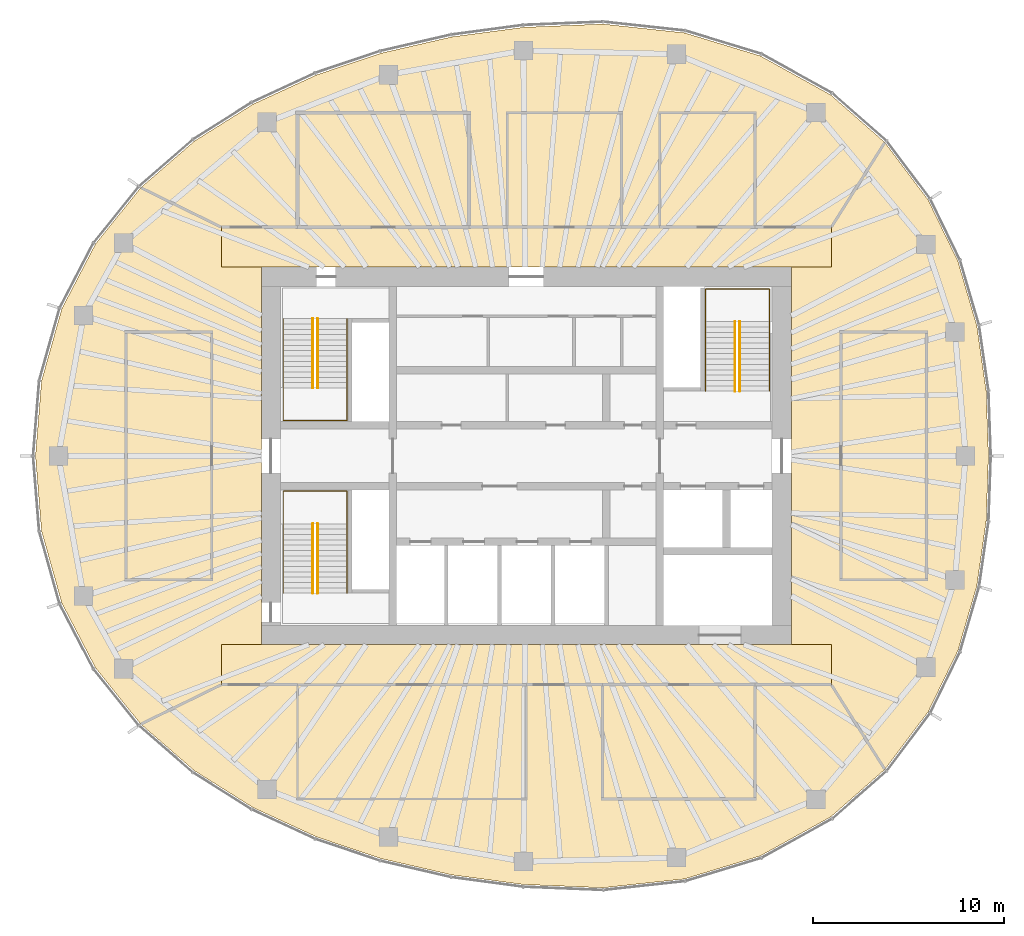
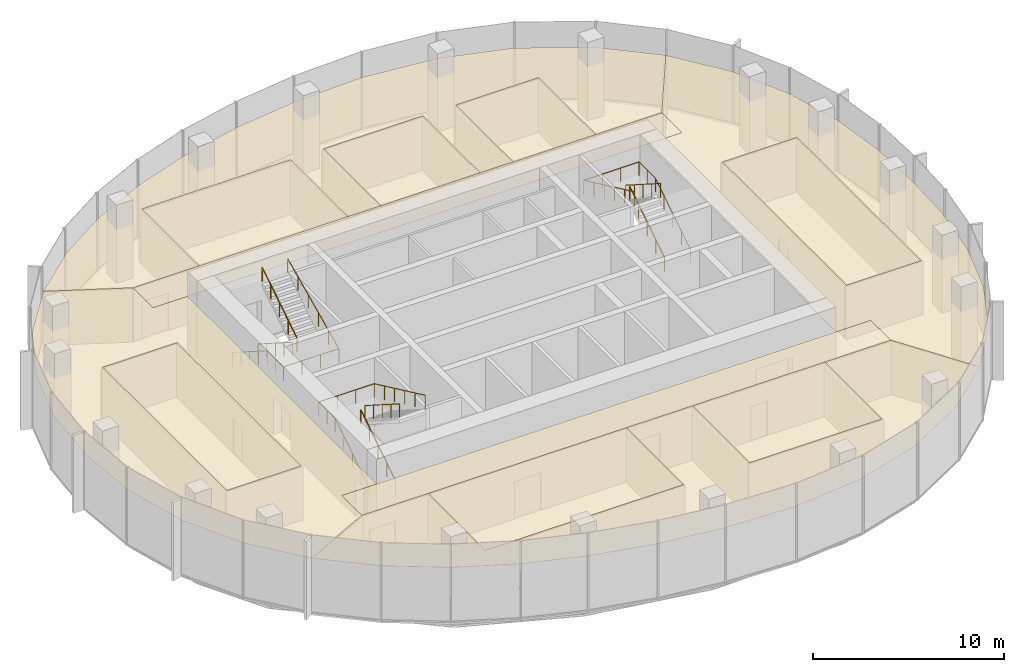
# One storey, part 11 of 11: 13 coverings, 9 railings.
"""IFC4 building model written with IfcOpenShell, lengths in metres."""

from ifc_helpers import new_model, si_unit, direction, frame, origin, origin_2d, place, context, subcontext, project, spatial, polyline, circle, outline, extrude, material, layer, layer_set, type_object, element, save


model = new_model("IFC4")

# Units and contexts
model_context = context("Model", 3, precision=1e-05, world=origin(), true_north=direction((0.0, 1.0)))
body_context = subcontext(model_context, "Body", "Model", "MODEL_VIEW")
ifc_project = project(units=[si_unit("LENGTHUNIT", "METRE"), si_unit("AREAUNIT", "SQUARE_METRE"), si_unit("VOLUMEUNIT", "CUBIC_METRE"), si_unit("PLANEANGLEUNIT", "RADIAN"), si_unit("MASSUNIT", "GRAM", prefix="KILO")], contexts=[model_context])

# Site, building, storey
site_placement = place(None, origin())
site = spatial("IfcSite", under=ifc_project, at=site_placement, CompositionType="ELEMENT")
building_placement = place(site_placement, origin())
building = spatial("IfcBuilding", under=site, at=building_placement, Name="Ghaith Harvest Tower", CompositionType="ELEMENT")
storey_placement = place(building_placement, frame((0.0, 0.0, 334.199951171875)))
storey = spatial("IfcBuildingStorey", under=building, at=storey_placement, Name="L75", CompositionType="ELEMENT", Elevation=334.199951171875)

# Coverings
ifc_material_1 = material(Name="Mineral fibre ceiling tile", Category="gypsum")
ifc_layer = layer(ifc_material_1, 0.014892578125)
ifc_layer_set = layer_set([ifc_layer], Name="CEILING C3")
covering_type = type_object("IfcCoveringType", Name="CEILING C3", PredefinedType="CEILING", material=ifc_layer_set)
covering_1_placement = place(storey_placement, frame((0.0, 0.0, 3.400146484375)))
element("IfcCovering", 1, at=covering_1_placement, inside=storey, type_object=covering_type, Name="Ceiling L75-01", PredefinedType="CEILING", context=body_context, shape_type="SweptSolid", body=[
    extrude(outline(polyline([(-12.0, 12.0), (-3.0, 12.0), (-3.0, 18.0), (-12.0, 18.0), (-12.0, 12.0)])), origin(), (0.0, 0.0, 1.0), 0.014892578125),
])
covering_2_placement = place(storey_placement, frame((0.0, 0.0, 3.400146484375)))
element("IfcCovering", 2, at=covering_2_placement, inside=storey, type_object=covering_type, Name="Ceiling L75-02", PredefinedType="CEILING", context=body_context, shape_type="SweptSolid", body=[
    extrude(outline(polyline([(-1.0, 12.0), (5.0, 12.0), (5.0, 18.0), (-1.0, 18.0), (-1.0, 12.0)])), origin(), (0.0, 0.0, 1.0), 0.014892578125),
])
covering_3_placement = place(storey_placement, frame((0.0, 0.0, 3.400146484375)))
element("IfcCovering", 3, at=covering_3_placement, inside=storey, type_object=covering_type, Name="Ceiling L75-03", PredefinedType="CEILING", context=body_context, shape_type="SweptSolid", body=[
    extrude(outline(polyline([(7.0, 12.0), (12.0, 12.0), (12.0, 18.0), (7.0, 18.0), (7.0, 12.0)])), origin(), (0.0, 0.0, 1.0), 0.014892578125),
])
covering_4_placement = place(storey_placement, frame((0.0, 0.0, 3.400146484375)))
element("IfcCovering", 4, at=covering_4_placement, inside=storey, type_object=covering_type, Name="Ceiling L75-04", PredefinedType="CEILING", context=body_context, shape_type="SweptSolid", body=[
    extrude(outline(polyline([(-12.0, -18.0), (0.0, -18.0), (0.0, -12.0), (-12.0, -12.0), (-12.0, -18.0)])), origin(), (0.0, 0.0, 1.0), 0.014892578125),
])
covering_5_placement = place(storey_placement, frame((0.0, 0.0, 3.400146484375)))
element("IfcCovering", 5, at=covering_5_placement, inside=storey, type_object=covering_type, Name="Ceiling L75-05", PredefinedType="CEILING", context=body_context, shape_type="SweptSolid", body=[
    extrude(outline(polyline([(4.0, -18.0), (12.0, -18.0), (12.0, -12.0), (4.0, -12.0), (4.0, -18.0)])), origin(), (0.0, 0.0, 1.0), 0.014892578125),
])
covering_6_placement = place(storey_placement, frame((0.0, 0.0, 3.400146484375)))
element("IfcCovering", 6, at=covering_6_placement, inside=storey, type_object=covering_type, Name="Ceiling L75-06", PredefinedType="CEILING", context=body_context, shape_type="SweptSolid", body=[
    extrude(outline(polyline([(-21.0, -6.5), (-16.5, -6.5), (-16.5, 6.5), (-21.0, 6.5), (-21.0, -6.5)])), origin(), (0.0, 0.0, 1.0), 0.014892578125),
])
covering_7_placement = place(storey_placement, frame((0.0, 0.0, 3.400146484375)))
element("IfcCovering", 7, at=covering_7_placement, inside=storey, type_object=covering_type, Name="Ceiling L75-07", PredefinedType="CEILING", context=body_context, shape_type="SweptSolid", body=[
    extrude(outline(polyline([(16.5, -6.5), (21.0, -6.5), (21.0, 6.5), (16.5, 6.5), (16.5, -6.5)])), origin(), (0.0, 0.0, 1.0), 0.014892578125),
])
covering_8_placement = place(storey_placement, frame((0.0, 0.0, 3.400146484375)))
element("IfcCovering", 8, at=covering_8_placement, inside=storey, type_object=covering_type, Name="Ceiling L75-C1", PredefinedType="CEILING", context=body_context, shape_type="SweptSolid", body=[
    extrude(outline(polyline([(16.0, 9.89990234375), (-16.0, 9.89990234375), (-16.0, 12.0), (16.0, 12.0), (16.0, 9.89990234375)])), origin(), (0.0, 0.0, 1.0), 0.014892578125),
])
covering_9_placement = place(storey_placement, frame((0.0, 0.0, 3.400146484375)))
element("IfcCovering", 9, at=covering_9_placement, inside=storey, type_object=covering_type, Name="Ceiling L75-C2", PredefinedType="CEILING", context=body_context, shape_type="SweptSolid", body=[
    extrude(outline(polyline([(-16.0, -9.89990234375), (16.0, -9.89990234375), (16.0, -12.0), (-16.0, -12.0), (-16.0, -9.89990234375)])), origin(), (0.0, 0.0, 1.0), 0.014892578125),
])
covering_10_placement = place(storey_placement, frame((0.0, 0.0, 3.400146484375)))
element("IfcCovering", 10, at=covering_10_placement, inside=storey, type_object=covering_type, Name="Ceiling L75-N1", PredefinedType="CEILING", context=body_context, shape_type="SweptSolid", body=[
    extrude(outline(polyline([(-17.40771484375, 16.518310546875), (-14.331298828125, 18.452880859375), (-11.009521484375, 19.98779296875), (-7.6298828125, 21.12548828125), (-3.92529296875, 21.98046875), (-0.15380859375, 22.486083984375), (4.016845703125, 22.658447265625), (8.2978515625, 22.1962890625), (12.273681640625, 20.98828125), (15.971923828125, 18.940185546875), (18.810791015625, 16.4482421875), (16.0, 12.0), (12.0, 12.0), (12.0, 18.0), (7.0, 18.0), (7.0, 12.0), (5.0, 12.0), (5.0, 18.0), (-1.0, 18.0), (-1.0, 12.0), (-3.0, 12.0), (-3.0, 18.0), (-12.0, 18.0), (-12.0, 12.0), (-16.0, 12.0), (-20.225830078125, 14.0732421875), (-17.40771484375, 16.518310546875)])), origin(), (0.0, 0.0, 1.0), 0.014892578125),
])
covering_11_placement = place(storey_placement, frame((0.0, 0.0, 3.400146484375)))
element("IfcCovering", 11, at=covering_11_placement, inside=storey, type_object=covering_type, Name="Ceiling L75-E1", PredefinedType="CEILING", context=body_context, shape_type="SweptSolid", body=[
    extrude(outline(polyline([(21.087890625, 13.42041015625), (22.644775390625, 10.222900390625), (23.6376953125, 6.831787109375), (24.129150390625, 3.4169921875), (24.25, 0.0), (24.129150390625, -3.4169921875), (23.6376953125, -6.831787109375), (22.644775390625, -10.222900390625), (21.087890625, -13.42041015625), (18.810791015625, -16.4482421875), (16.0, -12.0), (16.0, -9.89990234375), (13.89990234375, -9.89990234375), (13.89990234375, 9.89990234375), (16.0, 9.89990234375), (16.0, 12.0), (18.810791015625, 16.4482421875), (21.087890625, 13.42041015625)]), holes=[polyline([(16.5, 6.5), (16.5, -6.5), (21.0, -6.5), (21.0, 6.5), (16.5, 6.5)])]), origin(), (0.0, 0.0, 1.0), 0.014892578125),
])
covering_12_placement = place(storey_placement, frame((0.0, 0.0, 3.400146484375)))
element("IfcCovering", 12, at=covering_12_placement, inside=storey, type_object=covering_type, Name="Ceiling L75-S1", PredefinedType="CEILING", context=body_context, shape_type="SweptSolid", body=[
    extrude(outline(polyline([(-0.15380859375, -22.486083984375), (-3.92529296875, -21.98046875), (-7.6298828125, -21.12548828125), (-11.009521484375, -19.98779296875), (-14.331298828125, -18.452880859375), (-17.40771484375, -16.518310546875), (-20.225830078125, -14.0732421875), (-16.0, -12.0), (-12.0, -12.0), (-12.0, -18.0), (0.0, -18.0), (0.0, -12.0), (4.0, -12.0), (4.0, -18.0), (12.0, -18.0), (12.0, -12.0), (16.0, -12.0), (18.810791015625, -16.4482421875), (15.971923828125, -18.940185546875), (12.273681640625, -20.98828125), (8.2978515625, -22.1962890625), (4.016845703125, -22.658447265625), (-0.15380859375, -22.486083984375)])), origin(), (0.0, 0.0, 1.0), 0.014892578125),
])
covering_13_placement = place(storey_placement, frame((0.0, 0.0, 3.400146484375)))
element("IfcCovering", 13, at=covering_13_placement, inside=storey, type_object=covering_type, Name="Ceiling L75-W1", PredefinedType="CEILING", context=body_context, shape_type="SweptSolid", body=[
    extrude(outline(polyline([(-22.5986328125, -11.12353515625), (-24.368408203125, -7.722900390625), (-25.43310546875, -3.93359375), (-25.75, 0.0), (-25.43310546875, 3.93359375), (-24.368408203125, 7.722900390625), (-22.5986328125, 11.12353515625), (-20.225830078125, 14.0732421875), (-16.0, 12.0), (-16.0, 9.89990234375), (-13.89990234375, 9.89990234375), (-13.89990234375, -9.89990234375), (-16.0, -9.89990234375), (-16.0, -12.0), (-20.225830078125, -14.0732421875), (-22.5986328125, -11.12353515625)]), holes=[polyline([(-21.0, -6.5), (-16.5, -6.5), (-16.5, 6.5), (-21.0, 6.5), (-21.0, -6.5)])]), origin(), (0.0, 0.0, 1.0), 0.014892578125),
])

# Railings
ifc_material_2 = material(Name="Steel, black powder-coated", Category="steel")
railing_type = type_object("IfcRailingType", Name="HANDRAIL HR1", PredefinedType="HANDRAIL", material=ifc_material_2)
railing_1_placement = place(storey_placement, frame((-11.199951171875, 7.199951171875, 0.1787109375)))
element("IfcRailing", 14, at=railing_1_placement, inside=storey, type_object=railing_type, Name="Handrail HR1 stair ST1 L75 flight 1 inner", PredefinedType="HANDRAIL", context=body_context, shape_type="SweptSolid", body=[
    extrude(circle(Radius=0.02392578125, at=origin_2d()), frame((0.0, 0.0, 0.8759765625), z_axis=(0.0, -0.843137146238, 0.537698570422), x_axis=(1.0, 0.0, 0.0)), (0.0, 0.0, 1.0), 4.317138671875),
    extrude(circle(Radius=0.02099609375, at=origin_2d()), origin(), (0.0, 0.0, 1.0), 0.851806640625),
    extrude(circle(Radius=0.02099609375, at=origin_2d()), frame((0.0, -0.909912109375, 0.580322265625)), (0.0, 0.0, 1.0), 0.851806640625),
    extrude(circle(Radius=0.02099609375, at=origin_2d()), frame((0.0, -1.81982421875, 1.16064453125)), (0.0, 0.0, 1.0), 0.851806640625),
    extrude(circle(Radius=0.02099609375, at=origin_2d()), frame((0.0, -2.72998046875, 1.740966796875)), (0.0, 0.0, 1.0), 0.851806640625),
    extrude(circle(Radius=0.02099609375, at=origin_2d()), frame((0.0, -3.639892578125, 2.3212890625)), (0.0, 0.0, 1.0), 0.851806640625),
])
railing_2_placement = place(storey_placement, frame((-10.949951171875, 3.56005859375, 2.6787109375)))
element("IfcRailing", 15, at=railing_2_placement, inside=storey, type_object=railing_type, Name="Handrail HR1 stair ST1 L75 flight 2 inner", PredefinedType="HANDRAIL", context=body_context, shape_type="SweptSolid", body=[
    extrude(circle(Radius=0.02392578125, at=origin_2d()), frame((0.0, 0.0, 0.8759765625), z_axis=(0.0, 0.843137146238, 0.537698570422), x_axis=(-1.0, 0.0, 0.0)), (0.0, 0.0, 1.0), 4.317138671875),
    extrude(circle(Radius=0.02099609375, at=origin_2d()), origin(), (0.0, 0.0, 1.0), 0.851806640625),
    extrude(circle(Radius=0.02099609375, at=origin_2d()), frame((0.0, 0.909912109375, 0.580322265625)), (0.0, 0.0, 1.0), 0.851806640625),
    extrude(circle(Radius=0.02099609375, at=origin_2d()), frame((0.0, 1.81982421875, 1.16064453125)), (0.0, 0.0, 1.0), 0.851806640625),
    extrude(circle(Radius=0.02099609375, at=origin_2d()), frame((0.0, 2.72998046875, 1.740966796875)), (0.0, 0.0, 1.0), 0.851806640625),
    extrude(circle(Radius=0.02099609375, at=origin_2d()), frame((0.0, 3.639892578125, 2.3212890625)), (0.0, 0.0, 1.0), 0.851806640625),
])
railing_3_placement = place(storey_placement, frame((-12.75, 7.199951171875, 0.1787109375)))
element("IfcRailing", 16, at=railing_3_placement, inside=storey, type_object=railing_type, Name="Handrail HR1 stair ST1 L75 wall side", PredefinedType="HANDRAIL", context=body_context, shape_type="SweptSolid", body=[
    extrude(circle(Radius=0.02392578125, at=origin_2d()), frame((0.0, 0.0, 0.8759765625), z_axis=(0.0, -0.843137146238, 0.537698570422), x_axis=(1.0, 0.0, 0.0)), (0.0, 0.0, 1.0), 4.317138671875),
    extrude(circle(Radius=0.02392578125, at=origin_2d()), frame((0.0, -3.639892578125, 3.197265625), z_axis=(0.0, -1.0, 0.0), x_axis=(1.0, 0.0, 0.0)), (0.0, 0.0, 1.0), 1.7099609375),
    extrude(circle(Radius=0.02392578125, at=origin_2d()), frame((0.0, -5.349853515625, 3.197265625), z_axis=(1.0, 0.0, 0.0), x_axis=(0.0, 1.0, 0.0)), (0.0, 0.0, 1.0), 3.35009765625),
    extrude(circle(Radius=0.02392578125, at=origin_2d()), frame((3.35009765625, -5.349853515625, 3.197265625), z_axis=(0.0, 0.905962265858, 0.423358444868), x_axis=(-1.0, 0.0, 0.0)), (0.0, 0.0, 1.0), 5.9052734375),
    extrude(circle(Radius=0.02099609375, at=origin_2d()), origin(), (0.0, 0.0, 1.0), 0.851806640625),
    extrude(circle(Radius=0.02099609375, at=origin_2d()), frame((0.0, -0.909912109375, 0.580322265625)), (0.0, 0.0, 1.0), 0.851806640625),
    extrude(circle(Radius=0.02099609375, at=origin_2d()), frame((0.0, -1.81982421875, 1.16064453125)), (0.0, 0.0, 1.0), 0.851806640625),
    extrude(circle(Radius=0.02099609375, at=origin_2d()), frame((0.0, -2.72998046875, 1.740966796875)), (0.0, 0.0, 1.0), 0.851806640625),
    extrude(circle(Radius=0.02099609375, at=origin_2d()), frame((0.0, -3.639892578125, 2.3212890625)), (0.0, 0.0, 1.0), 0.851806640625),
    extrude(circle(Radius=0.02099609375, at=origin_2d()), frame((0.0, -4.494873046875, 2.3212890625)), (0.0, 0.0, 1.0), 0.851806640625),
    extrude(circle(Radius=0.02099609375, at=origin_2d()), frame((0.0, -5.349853515625, 2.3212890625)), (0.0, 0.0, 1.0), 0.851806640625),
    extrude(circle(Radius=0.02099609375, at=origin_2d()), frame((1.11669921875, -5.349853515625, 2.3212890625)), (0.0, 0.0, 1.0), 0.851806640625),
    extrude(circle(Radius=0.02099609375, at=origin_2d()), frame((2.2333984375, -5.349853515625, 2.3212890625)), (0.0, 0.0, 1.0), 0.851806640625),
    extrude(circle(Radius=0.02099609375, at=origin_2d()), frame((3.35009765625, -5.349853515625, 2.3212890625)), (0.0, 0.0, 1.0), 0.851806640625),
    extrude(circle(Radius=0.02099609375, at=origin_2d()), frame((3.35009765625, -4.27978515625, 2.8212890625)), (0.0, 0.0, 1.0), 0.851806640625),
    extrude(circle(Radius=0.02099609375, at=origin_2d()), frame((3.35009765625, -3.2099609375, 3.3212890625)), (0.0, 0.0, 1.0), 0.851806640625),
    extrude(circle(Radius=0.02099609375, at=origin_2d()), frame((3.35009765625, -2.139892578125, 3.8212890625)), (0.0, 0.0, 1.0), 0.851806640625),
    extrude(circle(Radius=0.02099609375, at=origin_2d()), frame((3.35009765625, -1.070068359375, 4.3212890625)), (0.0, 0.0, 1.0), 0.851806640625),
    extrude(circle(Radius=0.02099609375, at=origin_2d()), frame((3.35009765625, 0.0, 4.8212890625)), (0.0, 0.0, 1.0), 0.851806640625),
])
railing_4_placement = place(storey_placement, frame((-11.199951171875, -7.199951171875, 0.1787109375)))
element("IfcRailing", 17, at=railing_4_placement, inside=storey, type_object=railing_type, Name="Handrail HR1 stair ST3 L75 flight 1 inner", PredefinedType="HANDRAIL", context=body_context, shape_type="SweptSolid", body=[
    extrude(circle(Radius=0.02392578125, at=origin_2d()), frame((0.0, 0.0, 0.8759765625), z_axis=(0.0, 0.843137146238, 0.537698570422), x_axis=(-1.0, 0.0, 0.0)), (0.0, 0.0, 1.0), 4.317138671875),
    extrude(circle(Radius=0.02099609375, at=origin_2d()), origin(), (0.0, 0.0, 1.0), 0.851806640625),
    extrude(circle(Radius=0.02099609375, at=origin_2d()), frame((0.0, 0.909912109375, 0.580322265625)), (0.0, 0.0, 1.0), 0.851806640625),
    extrude(circle(Radius=0.02099609375, at=origin_2d()), frame((0.0, 1.81982421875, 1.16064453125)), (0.0, 0.0, 1.0), 0.851806640625),
    extrude(circle(Radius=0.02099609375, at=origin_2d()), frame((0.0, 2.72998046875, 1.740966796875)), (0.0, 0.0, 1.0), 0.851806640625),
    extrude(circle(Radius=0.02099609375, at=origin_2d()), frame((0.0, 3.639892578125, 2.3212890625)), (0.0, 0.0, 1.0), 0.851806640625),
])
railing_5_placement = place(storey_placement, frame((-10.949951171875, -3.56005859375, 2.6787109375)))
element("IfcRailing", 18, at=railing_5_placement, inside=storey, type_object=railing_type, Name="Handrail HR1 stair ST3 L75 flight 2 inner", PredefinedType="HANDRAIL", context=body_context, shape_type="SweptSolid", body=[
    extrude(circle(Radius=0.02392578125, at=origin_2d()), frame((0.0, 0.0, 0.8759765625), z_axis=(0.0, -0.843137146238, 0.537698570422), x_axis=(1.0, 0.0, 0.0)), (0.0, 0.0, 1.0), 4.317138671875),
    extrude(circle(Radius=0.02099609375, at=origin_2d()), origin(), (0.0, 0.0, 1.0), 0.851806640625),
    extrude(circle(Radius=0.02099609375, at=origin_2d()), frame((0.0, -0.909912109375, 0.580322265625)), (0.0, 0.0, 1.0), 0.851806640625),
    extrude(circle(Radius=0.02099609375, at=origin_2d()), frame((0.0, -1.81982421875, 1.16064453125)), (0.0, 0.0, 1.0), 0.851806640625),
    extrude(circle(Radius=0.02099609375, at=origin_2d()), frame((0.0, -2.72998046875, 1.740966796875)), (0.0, 0.0, 1.0), 0.851806640625),
    extrude(circle(Radius=0.02099609375, at=origin_2d()), frame((0.0, -3.639892578125, 2.3212890625)), (0.0, 0.0, 1.0), 0.851806640625),
])
railing_6_placement = place(storey_placement, frame((-12.75, -7.199951171875, 0.1787109375)))
element("IfcRailing", 19, at=railing_6_placement, inside=storey, type_object=railing_type, Name="Handrail HR1 stair ST3 L75 wall side", PredefinedType="HANDRAIL", context=body_context, shape_type="SweptSolid", body=[
    extrude(circle(Radius=0.02392578125, at=origin_2d()), frame((0.0, 0.0, 0.8759765625), z_axis=(0.0, 0.843137146238, 0.537698570422), x_axis=(-1.0, 0.0, 0.0)), (0.0, 0.0, 1.0), 4.317138671875),
    extrude(circle(Radius=0.02392578125, at=origin_2d()), frame((0.0, 3.639892578125, 3.197265625), z_axis=(0.0, 1.0, 0.0), x_axis=(-1.0, 0.0, 0.0)), (0.0, 0.0, 1.0), 1.7099609375),
    extrude(circle(Radius=0.02392578125, at=origin_2d()), frame((0.0, 5.349853515625, 3.197265625), z_axis=(1.0, 0.0, 0.0), x_axis=(0.0, 1.0, 0.0)), (0.0, 0.0, 1.0), 3.35009765625),
    extrude(circle(Radius=0.02392578125, at=origin_2d()), frame((3.35009765625, 5.349853515625, 3.197265625), z_axis=(0.0, -0.905962265858, 0.423358444868), x_axis=(1.0, 0.0, 0.0)), (0.0, 0.0, 1.0), 5.9052734375),
    extrude(circle(Radius=0.02099609375, at=origin_2d()), origin(), (0.0, 0.0, 1.0), 0.851806640625),
    extrude(circle(Radius=0.02099609375, at=origin_2d()), frame((0.0, 0.909912109375, 0.580322265625)), (0.0, 0.0, 1.0), 0.851806640625),
    extrude(circle(Radius=0.02099609375, at=origin_2d()), frame((0.0, 1.81982421875, 1.16064453125)), (0.0, 0.0, 1.0), 0.851806640625),
    extrude(circle(Radius=0.02099609375, at=origin_2d()), frame((0.0, 2.72998046875, 1.740966796875)), (0.0, 0.0, 1.0), 0.851806640625),
    extrude(circle(Radius=0.02099609375, at=origin_2d()), frame((0.0, 3.639892578125, 2.3212890625)), (0.0, 0.0, 1.0), 0.851806640625),
    extrude(circle(Radius=0.02099609375, at=origin_2d()), frame((0.0, 4.494873046875, 2.3212890625)), (0.0, 0.0, 1.0), 0.851806640625),
    extrude(circle(Radius=0.02099609375, at=origin_2d()), frame((0.0, 5.349853515625, 2.3212890625)), (0.0, 0.0, 1.0), 0.851806640625),
    extrude(circle(Radius=0.02099609375, at=origin_2d()), frame((1.11669921875, 5.349853515625, 2.3212890625)), (0.0, 0.0, 1.0), 0.851806640625),
    extrude(circle(Radius=0.02099609375, at=origin_2d()), frame((2.2333984375, 5.349853515625, 2.3212890625)), (0.0, 0.0, 1.0), 0.851806640625),
    extrude(circle(Radius=0.02099609375, at=origin_2d()), frame((3.35009765625, 5.349853515625, 2.3212890625)), (0.0, 0.0, 1.0), 0.851806640625),
    extrude(circle(Radius=0.02099609375, at=origin_2d()), frame((3.35009765625, 4.27978515625, 2.8212890625)), (0.0, 0.0, 1.0), 0.851806640625),
    extrude(circle(Radius=0.02099609375, at=origin_2d()), frame((3.35009765625, 3.2099609375, 3.3212890625)), (0.0, 0.0, 1.0), 0.851806640625),
    extrude(circle(Radius=0.02099609375, at=origin_2d()), frame((3.35009765625, 2.139892578125, 3.8212890625)), (0.0, 0.0, 1.0), 0.851806640625),
    extrude(circle(Radius=0.02099609375, at=origin_2d()), frame((3.35009765625, 1.070068359375, 4.3212890625)), (0.0, 0.0, 1.0), 0.851806640625),
    extrude(circle(Radius=0.02099609375, at=origin_2d()), frame((3.35009765625, 0.0, 4.8212890625)), (0.0, 0.0, 1.0), 0.851806640625),
])
railing_7_placement = place(storey_placement, frame((11.199951171875, 3.39990234375, 0.1787109375)))
element("IfcRailing", 20, at=railing_7_placement, inside=storey, type_object=railing_type, Name="Handrail HR1 stair ST2 L75 flight 1 inner", PredefinedType="HANDRAIL", context=body_context, shape_type="SweptSolid", body=[
    extrude(circle(Radius=0.02392578125, at=origin_2d()), frame((0.0, 0.0, 0.8759765625), z_axis=(0.0, 0.843153495434, 0.537672933239), x_axis=(-1.0, 0.0, 0.0)), (0.0, 0.0, 1.0), 4.3173828125),
    extrude(circle(Radius=0.02099609375, at=origin_2d()), origin(), (0.0, 0.0, 1.0), 0.851806640625),
    extrude(circle(Radius=0.02099609375, at=origin_2d()), frame((0.0, 0.91015625, 0.580322265625)), (0.0, 0.0, 1.0), 0.851806640625),
    extrude(circle(Radius=0.02099609375, at=origin_2d()), frame((0.0, 1.820068359375, 1.16064453125)), (0.0, 0.0, 1.0), 0.851806640625),
    extrude(circle(Radius=0.02099609375, at=origin_2d()), frame((0.0, 2.72998046875, 1.740966796875)), (0.0, 0.0, 1.0), 0.851806640625),
    extrude(circle(Radius=0.02099609375, at=origin_2d()), frame((0.0, 3.64013671875, 2.3212890625)), (0.0, 0.0, 1.0), 0.851806640625),
])
railing_8_placement = place(storey_placement, frame((10.949951171875, 7.0400390625, 2.6787109375)))
element("IfcRailing", 21, at=railing_8_placement, inside=storey, type_object=railing_type, Name="Handrail HR1 stair ST2 L75 flight 2 inner", PredefinedType="HANDRAIL", context=body_context, shape_type="SweptSolid", body=[
    extrude(circle(Radius=0.02392578125, at=origin_2d()), frame((0.0, 0.0, 0.8759765625), z_axis=(0.0, -0.843153495434, 0.537672933239), x_axis=(1.0, 0.0, 0.0)), (0.0, 0.0, 1.0), 4.3173828125),
    extrude(circle(Radius=0.02099609375, at=origin_2d()), origin(), (0.0, 0.0, 1.0), 0.851806640625),
    extrude(circle(Radius=0.02099609375, at=origin_2d()), frame((0.0, -0.91015625, 0.580322265625)), (0.0, 0.0, 1.0), 0.851806640625),
    extrude(circle(Radius=0.02099609375, at=origin_2d()), frame((0.0, -1.820068359375, 1.16064453125)), (0.0, 0.0, 1.0), 0.851806640625),
    extrude(circle(Radius=0.02099609375, at=origin_2d()), frame((0.0, -2.72998046875, 1.740966796875)), (0.0, 0.0, 1.0), 0.851806640625),
    extrude(circle(Radius=0.02099609375, at=origin_2d()), frame((0.0, -3.64013671875, 2.3212890625)), (0.0, 0.0, 1.0), 0.851806640625),
])
railing_9_placement = place(storey_placement, frame((12.75, 3.39990234375, 0.1787109375)))
element("IfcRailing", 22, at=railing_9_placement, inside=storey, type_object=railing_type, Name="Handrail HR1 stair ST2 L75 wall side", PredefinedType="HANDRAIL", context=body_context, shape_type="SweptSolid", body=[
    extrude(circle(Radius=0.02392578125, at=origin_2d()), frame((0.0, 0.0, 0.8759765625), z_axis=(0.0, 0.843153495434, 0.537672933239), x_axis=(-1.0, 0.0, 0.0)), (0.0, 0.0, 1.0), 4.3173828125),
    extrude(circle(Radius=0.02392578125, at=origin_2d()), frame((0.0, 3.64013671875, 3.197265625), z_axis=(0.0, 1.0, 0.0), x_axis=(-1.0, 0.0, 0.0)), (0.0, 0.0, 1.0), 1.7099609375),
    extrude(circle(Radius=0.02392578125, at=origin_2d()), frame((0.0, 5.35009765625, 3.197265625), z_axis=(-1.0, 0.0, 0.0), x_axis=(0.0, -1.0, 0.0)), (0.0, 0.0, 1.0), 3.35009765625),
    extrude(circle(Radius=0.02392578125, at=origin_2d()), frame((-3.35009765625, 5.35009765625, 3.197265625), z_axis=(0.0, -0.905969675553, 0.423342588193), x_axis=(1.0, 0.0, 0.0)), (0.0, 0.0, 1.0), 5.9052734375),
    extrude(circle(Radius=0.02099609375, at=origin_2d()), origin(), (0.0, 0.0, 1.0), 0.851806640625),
    extrude(circle(Radius=0.02099609375, at=origin_2d()), frame((0.0, 0.91015625, 0.580322265625)), (0.0, 0.0, 1.0), 0.851806640625),
    extrude(circle(Radius=0.02099609375, at=origin_2d()), frame((0.0, 1.820068359375, 1.16064453125)), (0.0, 0.0, 1.0), 0.851806640625),
    extrude(circle(Radius=0.02099609375, at=origin_2d()), frame((0.0, 2.72998046875, 1.740966796875)), (0.0, 0.0, 1.0), 0.851806640625),
    extrude(circle(Radius=0.02099609375, at=origin_2d()), frame((0.0, 3.64013671875, 2.3212890625)), (0.0, 0.0, 1.0), 0.851806640625),
    extrude(circle(Radius=0.02099609375, at=origin_2d()), frame((0.0, 4.4951171875, 2.3212890625)), (0.0, 0.0, 1.0), 0.851806640625),
    extrude(circle(Radius=0.02099609375, at=origin_2d()), frame((0.0, 5.35009765625, 2.3212890625)), (0.0, 0.0, 1.0), 0.851806640625),
    extrude(circle(Radius=0.02099609375, at=origin_2d()), frame((-1.11669921875, 5.35009765625, 2.3212890625)), (0.0, 0.0, 1.0), 0.851806640625),
    extrude(circle(Radius=0.02099609375, at=origin_2d()), frame((-2.2333984375, 5.35009765625, 2.3212890625)), (0.0, 0.0, 1.0), 0.851806640625),
    extrude(circle(Radius=0.02099609375, at=origin_2d()), frame((-3.35009765625, 5.35009765625, 2.3212890625)), (0.0, 0.0, 1.0), 0.851806640625),
    extrude(circle(Radius=0.02099609375, at=origin_2d()), frame((-3.35009765625, 4.280029296875, 2.8212890625)), (0.0, 0.0, 1.0), 0.851806640625),
    extrude(circle(Radius=0.02099609375, at=origin_2d()), frame((-3.35009765625, 3.2099609375, 3.3212890625)), (0.0, 0.0, 1.0), 0.851806640625),
    extrude(circle(Radius=0.02099609375, at=origin_2d()), frame((-3.35009765625, 2.14013671875, 3.8212890625)), (0.0, 0.0, 1.0), 0.851806640625),
    extrude(circle(Radius=0.02099609375, at=origin_2d()), frame((-3.35009765625, 1.070068359375, 4.3212890625)), (0.0, 0.0, 1.0), 0.851806640625),
    extrude(circle(Radius=0.02099609375, at=origin_2d()), frame((-3.35009765625, 0.0, 4.8212890625)), (0.0, 0.0, 1.0), 0.851806640625),
])

save(model, "model.ifc")
